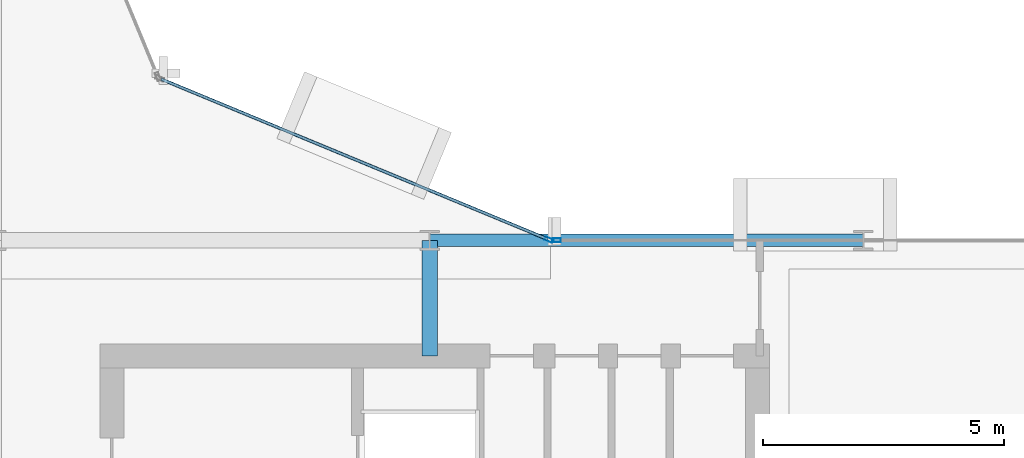
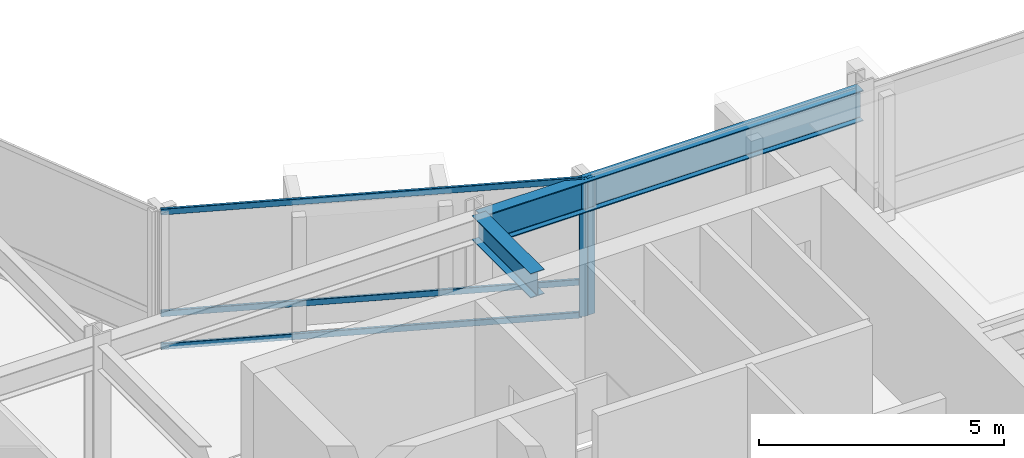
# One storey, part 12 of 27: 5 members, 2 beams, 2 elements without a shape of their own.
"""IFC4 building model written with IfcOpenShell, lengths in metres."""

from ifc_helpers import new_model, si_unit, direction, frame, origin, origin_2d, place, context, subcontext, project, spatial, hollow_rectangle, i_section, extrude, material, layer, layer_set, material_profile, profile_set, type_object, element, aggregate, save


model = new_model("IFC4")

# Units and contexts
model_context = context("Model", 3, precision=1e-05, world=origin(), true_north=direction((0.0, 1.0)))
body_context = subcontext(model_context, "Body", "Model", "MODEL_VIEW")
ifc_project = project(units=[si_unit("LENGTHUNIT", "METRE"), si_unit("AREAUNIT", "SQUARE_METRE"), si_unit("VOLUMEUNIT", "CUBIC_METRE"), si_unit("PLANEANGLEUNIT", "RADIAN"), si_unit("MASSUNIT", "GRAM", prefix="KILO")], contexts=[model_context])

# Site, building, storey
site_placement = place(None, origin())
site = spatial("IfcSite", under=ifc_project, at=site_placement, CompositionType="ELEMENT")
building_placement = place(site_placement, origin())
building = spatial("IfcBuilding", under=site, at=building_placement, Name="Solvaryn Broadcast Tower", CompositionType="ELEMENT")
storey_placement = place(building_placement, frame((0.0, 0.0, 181.60009765625)))
storey = spatial("IfcBuildingStorey", under=building, at=storey_placement, Name="L45", CompositionType="ELEMENT", Elevation=181.60009765625)

# Beams
ifc_material_1 = material(Name="Steel ASTM A992 Grade 50", Category="steel")
ifc_material_profile_1 = material_profile(ifc_material_1, i_section(OverallWidth=0.323974609375, OverallDepth=0.611083984375, WebThickness=0.0126953125, FlangeThickness=0.01904296875, FilletRadius=0.014892578125, at=origin_2d()))
ifc_profile_set_1 = profile_set([ifc_material_profile_1], Name="Steel ASTM A992 Grade 50")
beam_type_1 = type_object("IfcBeamType", Name="BM-B1-W24X104", PredefinedType="BEAM", material=ifc_profile_set_1)
beam_1_placement = place(storey_placement, frame((36.0, 24.60009765625, 3.114501953125), z_axis=(0.0, 1.0, 0.0), x_axis=(-1.0, 0.0, 0.0)))
element("IfcBeam", 1, at=beam_1_placement, inside=storey, type_object=beam_type_1, Name="L45 Core Tie Beam CTE2", PredefinedType="BEAM", context=body_context, shape_type="SweptSolid", body=[
    extrude(i_section(OverallWidth=0.323974609375, OverallDepth=0.611083984375, WebThickness=0.0126953125, FlangeThickness=0.01904296875, FilletRadius=0.014892578125, at=origin_2d()), origin(), (0.0, 0.0, 1.0), 2.39990234375),
])
ifc_material_2 = material(Name="Steel ASTM A992 Grade 50", Category="steel")
ifc_material_profile_2 = material_profile(ifc_material_2, i_section(OverallWidth=0.26708984375, OverallDepth=0.76611328125, WebThickness=0.014892578125, FlangeThickness=0.023681640625, FilletRadius=0.01806640625, at=origin_2d()))
ifc_profile_set_2 = profile_set([ifc_material_profile_2], Name="Steel ASTM A992 Grade 50")
beam_type_2 = type_object("IfcBeamType", Name="BM-SP2-W30X124", PredefinedType="USERDEFINED", material=ifc_profile_set_2)
beam_2_placement = place(storey_placement, frame((36.0, 27.0, 3.036865234375), z_axis=(1.0, 0.0, 0.0), x_axis=(0.0, 1.0, 0.0)))
element("IfcBeam", 2, at=beam_2_placement, inside=storey, type_object=beam_type_2, Name="L45 Spandrel Beam X (36-45 @ Y=27)", ObjectType="SPANDREL", PredefinedType="USERDEFINED", context=body_context, shape_type="SweptSolid", body=[
    extrude(i_section(OverallWidth=0.26708984375, OverallDepth=0.76611328125, WebThickness=0.014892578125, FlangeThickness=0.023681640625, FilletRadius=0.01806640625, at=origin_2d()), origin(), (0.0, 0.0, 1.0), 9.0),
])

# Curtain wall, member
ifc_material_3 = material(Name="Aluminium and Terracotta Unitised Curtain Wall", Category="masonry")
ifc_layer = layer(ifc_material_3, 0.199951171875)
ifc_layer_set = layer_set([ifc_layer], Name="CW-SYS2-LOWMID")
curtain_wall_type = type_object("IfcCurtainWallType", Name="CW-SYS2-LOWMID", PredefinedType="NOTDEFINED", material=ifc_layer_set)
curtain_wall_1_placement = place(storey_placement, origin())
curtain_wall_1 = element("IfcCurtainWall", 3, at=curtain_wall_1_placement, inside=storey, type_object=curtain_wall_type, Name="L45 Curtain Wall CN1", PredefinedType="NOTDEFINED")
ifc_material_4 = material(Name="Anodised Aluminium 6063-T6", Category="aluminium")
ifc_material_profile_3 = material_profile(ifc_material_4, hollow_rectangle(XDim=0.074951171875, YDim=0.179931640625, WallThickness=0.00390625, InnerFilletRadius=0.00390625, OuterFilletRadius=0.008056640625, at=origin_2d()))
ifc_profile_set_3 = profile_set([ifc_material_profile_3], Name="Anodised Aluminium 6063-T6")
member_type_1 = type_object("IfcMemberType", Name="CW-MUL-180", PredefinedType="MULLION", material=ifc_profile_set_3)
member_1_placement = place(storey_placement, frame((38.47216796875, 27.011474609375, 0.0), z_axis=(0.0, 0.0, 1.0), x_axis=(-0.382646127145, -0.923894983957, 0.0)))
member_1 = element("IfcMember", 4, at=member_1_placement, type_object=member_type_1, Name="CWS2 mullion 1", PredefinedType="MULLION", context=body_context, shape_type="SweptSolid", body=[
    extrude(hollow_rectangle(XDim=0.074951171875, YDim=0.179931640625, WallThickness=0.00390625, InnerFilletRadius=0.00390625, OuterFilletRadius=0.008056640625, at=origin_2d()), origin(), (0.0, 0.0, 1.0), 3.419921875),
])

curtain_wall_2_placement = place(storey_placement, origin())
curtain_wall_2 = element("IfcCurtainWall", 5, at=curtain_wall_2_placement, inside=storey, type_object=curtain_wall_type, Name="L45 Curtain Wall IH", PredefinedType="NOTDEFINED")
member_2_placement = place(storey_placement, frame((38.6298828125, 27.0, 0.0), z_axis=(0.0, 0.0, 1.0), x_axis=(0.0, 1.0, 0.0)))
member_2 = element("IfcMember", 6, at=member_2_placement, type_object=member_type_1, Name="CWS2 mullion 1", PredefinedType="MULLION", context=body_context, shape_type="SweptSolid", body=[
    extrude(hollow_rectangle(XDim=0.074951171875, YDim=0.179931640625, WallThickness=0.00390625, InnerFilletRadius=0.00390625, OuterFilletRadius=0.008056640625, at=origin_2d()), origin(), (0.0, 0.0, 1.0), 3.419921875),
])
aggregate(curtain_wall_2, [member_2])

# Member
ifc_material_5 = material(Name="Anodised Aluminium 6063-T6", Category="aluminium")
ifc_material_profile_4 = material_profile(ifc_material_5, hollow_rectangle(XDim=0.06494140625, YDim=0.14990234375, WallThickness=0.00390625, InnerFilletRadius=0.00390625, OuterFilletRadius=0.008056640625, at=origin_2d()))
ifc_profile_set_4 = profile_set([ifc_material_profile_4], Name="Anodised Aluminium 6063-T6")
member_type_2 = type_object("IfcMemberType", Name="CW-TRN-150", PredefinedType="USERDEFINED", material=ifc_profile_set_4)
member_3_placement = place(storey_placement, frame((38.444580078125, 27.02294921875, 0.02978515625), z_axis=(-0.923899282177, 0.382635748975, 0.0), x_axis=(-0.382635748975, -0.923899282177, 0.0)))
member_3 = element("IfcMember", 7, at=member_3_placement, type_object=member_type_2, Name="CWS2 transom 1.1", ObjectType="TRANSOM", PredefinedType="USERDEFINED", context=body_context, shape_type="SweptSolid", body=[
    extrude(hollow_rectangle(XDim=0.06494140625, YDim=0.14990234375, WallThickness=0.00390625, InnerFilletRadius=0.00390625, OuterFilletRadius=0.008056640625, at=origin_2d()), origin(), (0.0, 0.0, 1.0), 8.681884765625),
])

member_4_placement = place(storey_placement, frame((38.444580078125, 27.02294921875, 0.849853515625), z_axis=(-0.923899282177, 0.382635748975, 0.0), x_axis=(-0.382635748975, -0.923899282177, 0.0)))
member_4 = element("IfcMember", 8, at=member_4_placement, type_object=member_type_2, Name="CWS2 transom 1.2", ObjectType="TRANSOM", PredefinedType="USERDEFINED", context=body_context, shape_type="SweptSolid", body=[
    extrude(hollow_rectangle(XDim=0.06494140625, YDim=0.14990234375, WallThickness=0.00390625, InnerFilletRadius=0.00390625, OuterFilletRadius=0.008056640625, at=origin_2d()), origin(), (0.0, 0.0, 1.0), 8.681884765625),
])

member_5_placement = place(storey_placement, frame((38.444580078125, 27.02294921875, 3.389892578125), z_axis=(-0.923899282177, 0.382635748975, 0.0), x_axis=(-0.382635748975, -0.923899282177, 0.0)))
member_5 = element("IfcMember", 9, at=member_5_placement, type_object=member_type_2, Name="CWS2 transom 1.3", ObjectType="TRANSOM", PredefinedType="USERDEFINED", context=body_context, shape_type="SweptSolid", body=[
    extrude(hollow_rectangle(XDim=0.06494140625, YDim=0.14990234375, WallThickness=0.00390625, InnerFilletRadius=0.00390625, OuterFilletRadius=0.008056640625, at=origin_2d()), origin(), (0.0, 0.0, 1.0), 8.681884765625),
])

aggregate(curtain_wall_1, [member_1, member_3, member_4, member_5])

save(model, "model.ifc")
